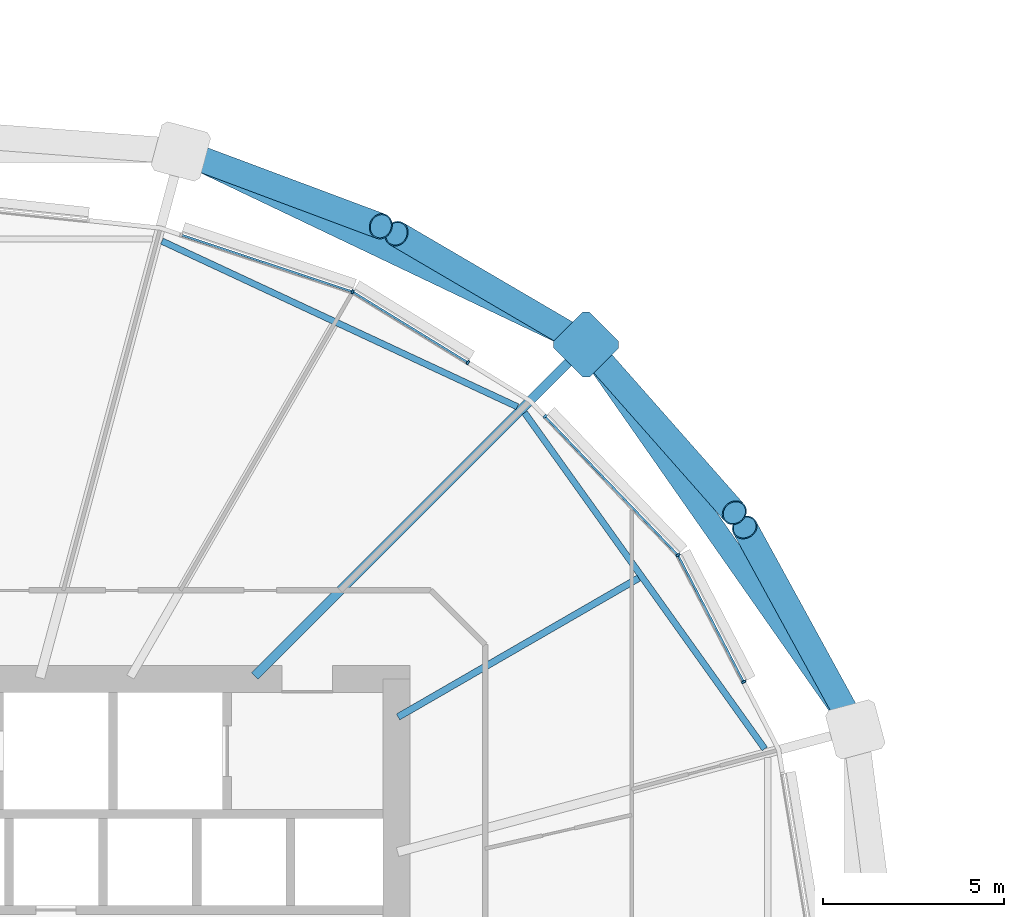
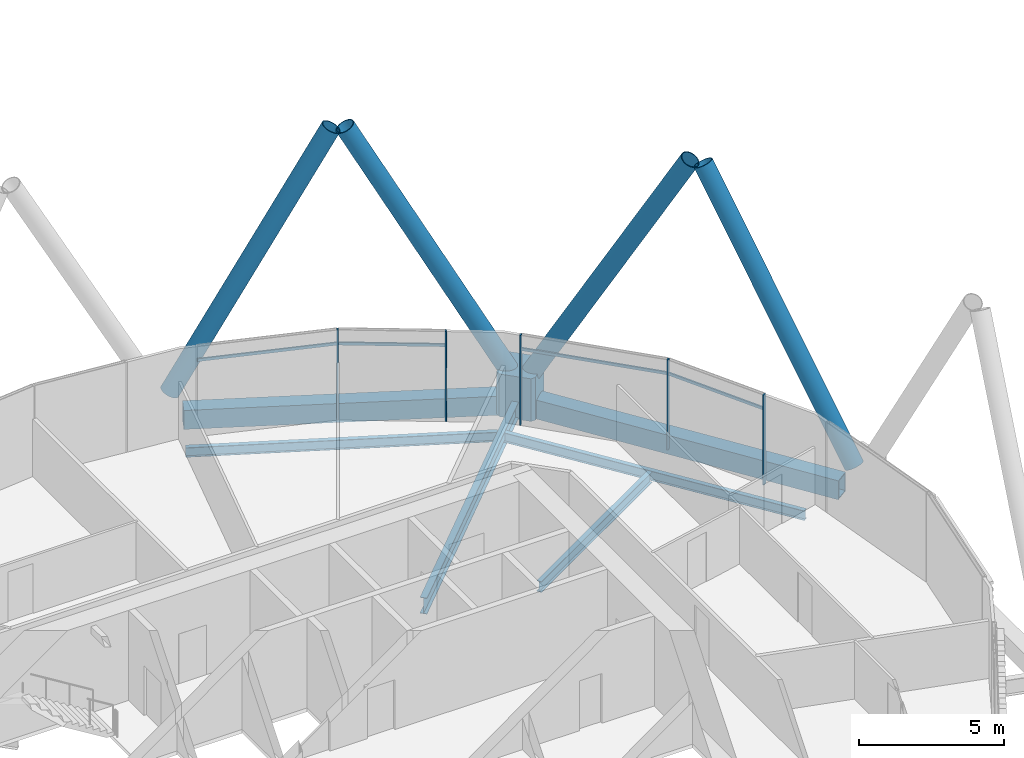
# One storey, part 12 of 38: 14 members, 6 beams, 1 element without a shape of its own.
"""IFC4 building model written with IfcOpenShell, lengths in metres."""

from ifc_helpers import new_model, si_unit, direction, frame, origin, origin_2d, place, context, subcontext, project, spatial, polyline, rectangle, hollow_rectangle, hollow_circle, i_section, outline, extrude, material, material_profile, profile_set, type_object, element, aggregate, save


model = new_model("IFC4")

# Units and contexts
model_context = context("Model", 3, precision=1e-05, world=origin(), true_north=direction((0.0, 1.0)))
body_context = subcontext(model_context, "Body", "Model", "MODEL_VIEW")
ifc_project = project(units=[si_unit("LENGTHUNIT", "METRE"), si_unit("AREAUNIT", "SQUARE_METRE"), si_unit("VOLUMEUNIT", "CUBIC_METRE"), si_unit("PLANEANGLEUNIT", "RADIAN"), si_unit("MASSUNIT", "GRAM", prefix="KILO")], contexts=[model_context])

# Site, building, storey
site_placement = place(None, origin())
site = spatial("IfcSite", under=ifc_project, at=site_placement, CompositionType="ELEMENT")
building_placement = place(site_placement, origin())
building = spatial("IfcBuilding", under=site, at=building_placement, Name="Rimbun Link Towers", CompositionType="ELEMENT")
storey_placement = place(building_placement, frame((0.0, 0.0, 93.0)))
storey = spatial("IfcBuildingStorey", under=building, at=storey_placement, Name="L22", CompositionType="ELEMENT", Elevation=93.0)

# Curtain wall, members
ifc_material_1 = material(Name="Aluminium 6063-T6 and low-iron glass", Category="aluminium")
curtain_wall_type = type_object("IfcCurtainWallType", Name="CW1-Z2 unitised vision wall (zone 2)", PredefinedType="NOTDEFINED", material=ifc_material_1)
curtain_wall_placement = place(storey_placement, origin())
curtain_wall = element("IfcCurtainWall", 1, at=curtain_wall_placement, inside=storey, type_object=curtain_wall_type, Name="CW1 L22 T1", PredefinedType="NOTDEFINED")
ifc_material_2 = material(Name="Aluminium 6063-T6", Category="aluminium")
ifc_material_profile_1 = material_profile(ifc_material_2, rectangle(XDim=0.1201171875, YDim=0.06005859375, at=origin_2d()), Name="MULLION 60X120")
ifc_profile_set_1 = profile_set([ifc_material_profile_1], Name="Aluminium 6063-T6")
member_type_1 = type_object("IfcMemberType", Name="CW1 mullion 60X120", PredefinedType="MULLION", material=ifc_profile_set_1)
member_1_placement = place(storey_placement, frame((-11.972412109375, 11.42529296875, 0.0), z_axis=(0.0, 0.0, 1.0), x_axis=(0.813351214919, 0.581772980801, 0.0)))
member_1 = element("IfcMember", 2, at=member_1_placement, type_object=member_type_1, Name="CW1 mullion", PredefinedType="MULLION", context=body_context, shape_type="SweptSolid", body=[
    extrude(rectangle(XDim=0.1201171875, YDim=0.06005859375, at=origin_2d()), origin(), (0.0, 0.0, 1.0), 3.800048828125),
])
member_2_placement = place(storey_placement, frame((-10.158935546875, 7.92236328125, 0.0), z_axis=(0.0, 0.0, 1.0), x_axis=(0.888148629228, 0.45955632125, 0.0)))
member_2 = element("IfcMember", 3, at=member_2_placement, type_object=member_type_1, Name="CW1 mullion", PredefinedType="MULLION", context=body_context, shape_type="SweptSolid", body=[
    extrude(rectangle(XDim=0.1201171875, YDim=0.06005859375, at=origin_2d()), origin(), (0.0, 0.0, 1.0), 3.800048828125),
])
member_3_placement = place(storey_placement, frame((-15.643798828125, 15.256103515625, 0.0), z_axis=(0.0, 0.0, 1.0), x_axis=(0.721854427226, 0.692044930546, 0.0)))
member_3 = element("IfcMember", 4, at=member_3_placement, type_object=member_type_1, Name="CW1 mullion", PredefinedType="MULLION", context=body_context, shape_type="SweptSolid", body=[
    extrude(rectangle(XDim=0.1201171875, YDim=0.06005859375, at=origin_2d()), origin(), (0.0, 0.0, 1.0), 3.800048828125),
])
member_4_placement = place(storey_placement, frame((-20.959716796875, 18.699951171875, 0.0), z_axis=(0.0, 0.0, 1.0), x_axis=(0.421698890318, 0.906735929532, 0.0)))
member_4 = element("IfcMember", 5, at=member_4_placement, type_object=member_type_1, Name="CW1 mullion", PredefinedType="MULLION", context=body_context, shape_type="SweptSolid", body=[
    extrude(rectangle(XDim=0.1201171875, YDim=0.06005859375, at=origin_2d()), origin(), (0.0, 0.0, 1.0), 3.800048828125),
])
member_5_placement = place(storey_placement, frame((-17.775390625, 16.7451171875, 0.0), z_axis=(0.0, 0.0, 1.0), x_axis=(0.523239240316, 0.852185835011, 0.0)))
member_5 = element("IfcMember", 6, at=member_5_placement, type_object=member_type_1, Name="CW1 mullion", PredefinedType="MULLION", context=body_context, shape_type="SweptSolid", body=[
    extrude(rectangle(XDim=0.1201171875, YDim=0.06005859375, at=origin_2d()), origin(), (0.0, 0.0, 1.0), 3.800048828125),
])
ifc_material_3 = material(Name="Aluminium 6063-T6", Category="aluminium")
ifc_material_profile_2 = material_profile(ifc_material_3, rectangle(XDim=0.06005859375, YDim=0.1201171875, at=origin_2d()), Name="TRANSOM 60X120")
ifc_profile_set_2 = profile_set([ifc_material_profile_2], Name="Aluminium 6063-T6")
member_type_2 = type_object("IfcMemberType", Name="CW1 transom 60X120", PredefinedType="USERDEFINED", material=ifc_profile_set_2)
member_6_placement = place(storey_placement, frame((-11.955810546875, 11.390625, 3.199951171875), z_axis=(0.459541145286, -0.888156481589, 0.0), x_axis=(0.888156481589, 0.459541145286, 0.0)))
member_6 = element("IfcMember", 7, at=member_6_placement, type_object=member_type_2, Name="CW1 transom", ObjectType="TRANSOM", PredefinedType="USERDEFINED", context=body_context, shape_type="SweptSolid", body=[
    extrude(rectangle(XDim=0.06005859375, YDim=0.1201171875, at=origin_2d()), origin(), (0.0, 0.0, 1.0), 3.876220703125),
])
member_7_placement = place(storey_placement, frame((-15.62451171875, 15.23291015625, 3.199951171875), z_axis=(0.692056205714, -0.721843617505, 0.0), x_axis=(0.721843617505, 0.692056205714, 0.0)))
member_7 = element("IfcMember", 8, at=member_7_placement, type_object=member_type_2, Name="CW1 transom", ObjectType="TRANSOM", PredefinedType="USERDEFINED", context=body_context, shape_type="SweptSolid", body=[
    extrude(rectangle(XDim=0.06005859375, YDim=0.1201171875, at=origin_2d()), origin(), (0.0, 0.0, 1.0), 5.2373046875),
])
member_8_placement = place(storey_placement, frame((-20.92919921875, 18.67919921875, 3.199951171875), z_axis=(0.85220609578, -0.523206240707, 0.0), x_axis=(0.523206240707, 0.85220609578, 0.0)))
member_8 = element("IfcMember", 9, at=member_8_placement, type_object=member_type_2, Name="CW1 transom", ObjectType="TRANSOM", PredefinedType="USERDEFINED", context=body_context, shape_type="SweptSolid", body=[
    extrude(rectangle(XDim=0.06005859375, YDim=0.1201171875, at=origin_2d()), origin(), (0.0, 0.0, 1.0), 3.66943359375),
])
member_9_placement = place(storey_placement, frame((-25.667236328125, 20.25830078125, 3.199951171875), z_axis=(0.949232441731, -0.314575541906, 0.0), x_axis=(0.314575541906, 0.949232441731, 0.0)))
member_9 = element("IfcMember", 10, at=member_9_placement, type_object=member_type_2, Name="CW1 transom", ObjectType="TRANSOM", PredefinedType="USERDEFINED", context=body_context, shape_type="SweptSolid", body=[
    extrude(rectangle(XDim=0.06005859375, YDim=0.1201171875, at=origin_2d()), origin(), (0.0, 0.0, 1.0), 4.921875),
])
aggregate(curtain_wall, [member_1, member_2, member_3, member_4, member_5, member_6, member_7, member_8, member_9])

# Members
ifc_material_4 = material(Name="Steel S460NH", Category="steel")
ifc_material_profile_3 = material_profile(ifc_material_4, hollow_circle(Radius=0.355712890625, WallThickness=0.031982421875, at=origin_2d()), Name="Diagrid diagonal CHS 711x32")
ifc_profile_set_3 = profile_set([ifc_material_profile_3], Name="Steel S460NH")
member_type_3 = type_object("IfcMemberType", Name="Diagrid diagonal CHS 711x32", PredefinedType="BRACE", material=ifc_profile_set_3)
member_10_placement = place(storey_placement, frame((-7.1943359375, 6.83203125, 0.4326171875), z_axis=(-0.241023438842, 0.440152417672, 0.864970260267), x_axis=(-0.877106684974, -0.480295599787, 0.0)))
element("IfcMember", 11, at=member_10_placement, inside=storey, type_object=member_type_3, Name="Diagrid diagonal T1 L22-L25 01b", PredefinedType="BRACE", context=body_context, shape_type="SweptSolid", body=[
    extrude(hollow_circle(Radius=0.355712890625, WallThickness=0.031982421875, at=origin_2d()), origin(), (0.0, 0.0, 1.0), 12.179443359375),
])
member_11_placement = place(storey_placement, frame((-14.348876953125, 17.05419921875, 0.435302734375), z_axis=(0.325481387315, -0.368586825062, 0.870750032387), x_axis=(0.749577782131, 0.661916270034, 0.0)))
element("IfcMember", 12, at=member_11_placement, inside=storey, type_object=member_type_3, Name="Diagrid diagonal T1 L22-L25 03a", PredefinedType="BRACE", context=body_context, shape_type="SweptSolid", body=[
    extrude(hollow_circle(Radius=0.355712890625, WallThickness=0.031982421875, at=origin_2d()), origin(), (0.0, 0.0, 1.0), 12.09228515625),
])
member_12_placement = place(storey_placement, frame((-14.720458984375, 17.36083984375, 0.4375), z_axis=(-0.417935584377, 0.244636310109, 0.874918809426), x_axis=(-0.505165498138, -0.863022490721, 0.0)))
element("IfcMember", 13, at=member_12_placement, inside=storey, type_object=member_type_3, Name="Diagrid diagonal T1 L22-L25 03b", PredefinedType="BRACE", context=body_context, shape_type="SweptSolid", body=[
    extrude(hollow_circle(Radius=0.355712890625, WallThickness=0.031982421875, at=origin_2d()), origin(), (0.0, 0.0, 1.0), 12.029541015625),
])
member_13_placement = place(storey_placement, frame((-25.479248046875, 22.49169921875, 0.440185546875), z_axis=(0.443722358353, -0.165982002404, 0.880659096118), x_axis=(0.350357403198, 0.936616084649, 0.0)))
element("IfcMember", 14, at=member_13_placement, inside=storey, type_object=member_type_3, Name="Diagrid diagonal T1 L22-L25 05a", PredefinedType="BRACE", context=body_context, shape_type="SweptSolid", body=[
    extrude(hollow_circle(Radius=0.355712890625, WallThickness=0.031982421875, at=origin_2d()), origin(), (0.0, 0.0, 1.0), 11.945068359375),
])
ifc_material_5 = material(Name="Cast steel G20Mn5+QT, Rp0.2 300 MPa", Category="steel")
ifc_material_profile_4 = material_profile(ifc_material_5, outline(polyline([(0.699951171875, -0.570068359375), (0.699951171875, 0.570068359375), (0.570068359375, 0.699951171875), (-0.570068359375, 0.699951171875), (-0.699951171875, 0.570068359375), (-0.699951171875, -0.570068359375), (-0.570068359375, -0.699951171875), (0.570068359375, -0.699951171875), (0.699951171875, -0.570068359375)])), Name="NODE 1400x1400")
ifc_profile_set_4 = profile_set([ifc_material_profile_4], Name="Cast steel G20Mn5+QT, Rp0.2 300 MPa")
member_type_4 = type_object("IfcMemberType", Name="Diagrid node cast 1400", PredefinedType="USERDEFINED", material=ifc_profile_set_4)
member_14_placement = place(storey_placement, frame((-14.511474609375, 17.238525390625, -0.89990234375), z_axis=(0.0, 0.0, 1.0), x_axis=(0.707106781187, 0.707106781187, 0.0)))
element("IfcMember", 15, at=member_14_placement, inside=storey, type_object=member_type_4, Name="Diagrid node L22 03", ObjectType="Diagrid node", PredefinedType="USERDEFINED", context=body_context, shape_type="SweptSolid", body=[
    extrude(outline(polyline([(0.699951171875, -0.570068359375), (0.699951171875, 0.570068359375), (0.570068359375, 0.699951171875), (-0.570068359375, 0.699951171875), (-0.699951171875, 0.570068359375), (-0.699951171875, -0.570068359375), (-0.570068359375, -0.699951171875), (0.570068359375, -0.699951171875), (0.699951171875, -0.570068359375)])), origin(), (0.0, 0.0, 1.0), 1.7998046875),
])

# Beams
ifc_material_6 = material(Name="Steel S355J2", Category="steel")
ifc_material_profile_5 = material_profile(ifc_material_6, hollow_rectangle(XDim=0.60009765625, YDim=0.800048828125, WallThickness=0.0400390625, at=origin_2d()), Name="Exoskeleton ring girder BOX 600x800x40")
ifc_profile_set_5 = profile_set([ifc_material_profile_5], Name="Steel S355J2")
beam_type_1 = type_object("IfcBeamType", Name="Exoskeleton ring girder BOX 600x800x40", PredefinedType="BEAM", material=ifc_profile_set_5)
beam_1_placement = place(storey_placement, frame((-7.475341796875, 7.185302734375, -0.56005859375), z_axis=(-0.573401451452, 0.819274542185, 0.0), x_axis=(-0.819274542185, -0.573401451452, 0.0)))
element("IfcBeam", 16, at=beam_1_placement, inside=storey, type_object=beam_type_1, Name="Exoskeleton ring girder L22 00", PredefinedType="BEAM", context=body_context, shape_type="SweptSolid", body=[
    extrude(hollow_rectangle(XDim=0.60009765625, YDim=0.800048828125, WallThickness=0.0400390625, at=origin_2d()), origin(), (0.0, 0.0, 1.0), 11.57080078125),
])
beam_2_placement = place(storey_placement, frame((-15.143310546875, 17.539794921875, -0.56005859375), z_axis=(-0.902623188498, 0.430431620105, 0.0), x_axis=(-0.430431620105, -0.902623188498, 0.0)))
element("IfcBeam", 17, at=beam_2_placement, inside=storey, type_object=beam_type_1, Name="Exoskeleton ring girder L22 01", PredefinedType="BEAM", context=body_context, shape_type="SweptSolid", body=[
    extrude(hollow_rectangle(XDim=0.60009765625, YDim=0.800048828125, WallThickness=0.0400390625, at=origin_2d()), origin(), (0.0, 0.0, 1.0), 10.996826171875),
])
ifc_material_7 = material(Name="Steel S355J2", Category="steel")
ifc_material_profile_6 = material_profile(ifc_material_7, i_section(OverallWidth=0.177978515625, OverallDepth=0.406494140625, WebThickness=0.0078125, FlangeThickness=0.0126953125, at=origin_2d()), Name="UB 406x178x60")
ifc_profile_set_6 = profile_set([ifc_material_profile_6], Name="Steel S355J2")
beam_type_2 = type_object("IfcBeamType", Name="UB 406x178x60", PredefinedType="BEAM", material=ifc_profile_set_6)
beam_3_placement = place(storey_placement, frame((-9.57373046875, 6.074462890625, -0.36328125), z_axis=(-0.581367694083, 0.813640955383, 0.0), x_axis=(-0.813640955383, -0.581367694083, 0.0)))
element("IfcBeam", 18, at=beam_3_placement, inside=storey, type_object=beam_type_2, Name="Edge beam T1 L22 01-03", PredefinedType="BEAM", context=body_context, shape_type="SweptSolid", body=[
    extrude(i_section(OverallWidth=0.177978515625, OverallDepth=0.406494140625, WebThickness=0.0078125, FlangeThickness=0.0126953125, at=origin_2d()), origin(), (0.0, 0.0, 1.0), 11.412841796875),
])
beam_4_placement = place(storey_placement, frame((-16.407470703125, 15.523193359375, -0.36328125), z_axis=(-0.906386298275, 0.422449853, 0.0), x_axis=(-0.422449853, -0.906386298275, 0.0)))
element("IfcBeam", 19, at=beam_4_placement, inside=storey, type_object=beam_type_2, Name="Edge beam T1 L22 03-05", PredefinedType="BEAM", context=body_context, shape_type="SweptSolid", body=[
    extrude(i_section(OverallWidth=0.177978515625, OverallDepth=0.406494140625, WebThickness=0.0078125, FlangeThickness=0.0126953125, at=origin_2d()), origin(), (0.0, 0.0, 1.0), 10.831787109375),
])
ifc_material_8 = material(Name="Steel S355J2", Category="steel")
ifc_material_profile_7 = material_profile(ifc_material_8, i_section(OverallWidth=0.18994140625, OverallDepth=0.453369140625, WebThickness=0.008544921875, FlangeThickness=0.0126953125, at=origin_2d()), Name="UB 457x191x67")
ifc_profile_set_7 = profile_set([ifc_material_profile_7], Name="Steel S355J2")
beam_type_3 = type_object("IfcBeamType", Name="UB 457x191x67", PredefinedType="BEAM", material=ifc_profile_set_7)
beam_5_placement = place(storey_placement, frame((-19.70166015625, 6.9560546875, -0.38671875), z_axis=(0.866012339475, 0.500022627366, 0.0), x_axis=(-0.500022627366, 0.866012339475, 0.0)))
element("IfcBeam", 20, at=beam_5_placement, inside=storey, type_object=beam_type_3, Name="Radial beam T1 L22 02", PredefinedType="BEAM", context=body_context, shape_type="SweptSolid", body=[
    extrude(i_section(OverallWidth=0.18994140625, OverallDepth=0.453369140625, WebThickness=0.008544921875, FlangeThickness=0.0126953125, at=origin_2d()), origin(), (0.0, 0.0, 1.0), 7.674072265625),
])
ifc_material_9 = material(Name="Steel S355J2", Category="steel")
ifc_material_profile_8 = material_profile(ifc_material_9, i_section(OverallWidth=0.253662109375, OverallDepth=0.68359375, WebThickness=0.012451171875, FlangeThickness=0.01904296875, at=origin_2d()), Name="UB 686x254x140")
ifc_profile_set_8 = profile_set([ifc_material_profile_8], Name="Steel S355J2")
beam_type_4 = type_object("IfcBeamType", Name="UB 686x254x140", PredefinedType="BEAM", material=ifc_profile_set_8)
beam_6_placement = place(storey_placement, frame((-23.65966796875, 8.09033203125, -0.501708984375), z_axis=(0.707106781187, 0.707106781187, 0.0), x_axis=(-0.707106781187, 0.707106781187, 0.0)))
element("IfcBeam", 21, at=beam_6_placement, inside=storey, type_object=beam_type_4, Name="Radial beam T1 L22 03", PredefinedType="BEAM", context=body_context, shape_type="SweptSolid", body=[
    extrude(i_section(OverallWidth=0.253662109375, OverallDepth=0.68359375, WebThickness=0.012451171875, FlangeThickness=0.01904296875, at=origin_2d()), origin(), (0.0, 0.0, 1.0), 12.4375),
])

save(model, "model.ifc")
